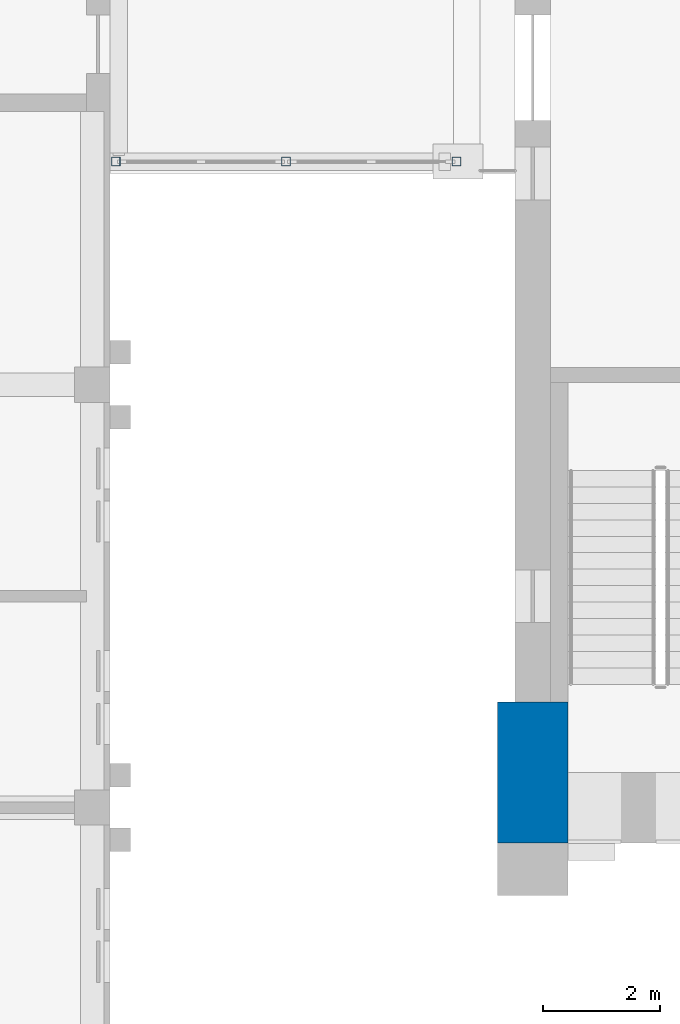
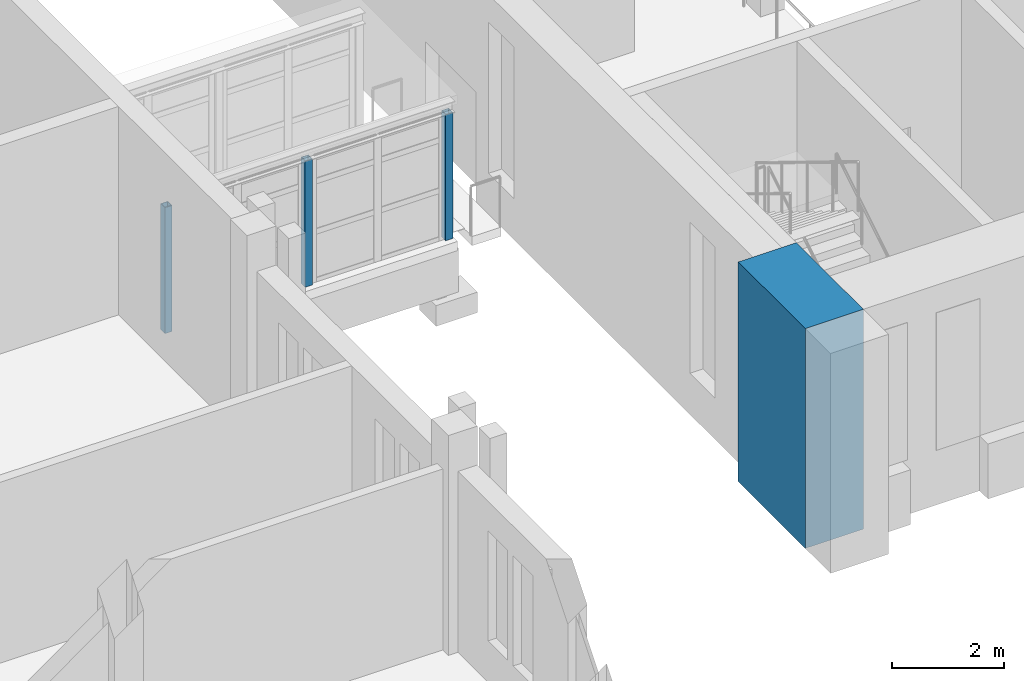
# One storey, part 5 of 131: 4 columns.
"""IFC4 building model written with IfcOpenShell, lengths in metres."""

from ifc_helpers import new_model, si_unit, direction, frame, origin, origin_2d, place, context, subcontext, project, spatial, rectangle, hollow_rectangle, extrude, material, material_profile, profile_set, type_object, element, save


model = new_model("IFC4")

# Units and contexts
model_context = context("Model", 3, precision=1e-05, world=origin(), true_north=direction((0.0, 1.0)))
body_context = subcontext(model_context, "Body", "Model", "MODEL_VIEW")
ifc_project = project(units=[si_unit("LENGTHUNIT", "METRE"), si_unit("AREAUNIT", "SQUARE_METRE"), si_unit("VOLUMEUNIT", "CUBIC_METRE"), si_unit("PLANEANGLEUNIT", "RADIAN"), si_unit("MASSUNIT", "GRAM", prefix="KILO")], contexts=[model_context])

# Site, building, storey
site_placement = place(None, origin())
site = spatial("IfcSite", under=ifc_project, at=site_placement, CompositionType="ELEMENT")
building_placement = place(site_placement, origin())
building = spatial("IfcBuilding", under=site, at=building_placement, Name="Alderwick Market Hall", CompositionType="ELEMENT")
storey_placement = place(building_placement, frame((0.0, 0.0, 4.800048828125)))
storey = spatial("IfcBuildingStorey", under=building, at=storey_placement, Name="L00", CompositionType="ELEMENT", Elevation=4.800048828125)

# Columns
ifc_material_1 = material(Name="Steel ASTM A500 Grade C", Category="steel")
ifc_material_profile_1 = material_profile(ifc_material_1, hollow_rectangle(XDim=0.152099609375, YDim=0.152099609375, WallThickness=0.009521484375, at=origin_2d()), Name="HSS152x152x9.5")
ifc_profile_set_1 = profile_set([ifc_material_profile_1], Name="Steel ASTM A500 Grade C")
column_type_1 = type_object("IfcColumnType", Name="P HSS Column 152x152x9.5", PredefinedType="COLUMN", material=ifc_profile_set_1)
for number, where, z_axis, x_axis, name in (
    (1, (43.300048828125, 61.39990234375, 0.0), (0.0, 0.0, 1.0), (1.0, 0.0, 0.0), "P.P6.col.a0"),
    (2, (46.199951171875, 61.39990234375, 0.0), (0.0, 0.0, 1.0), (1.0, 0.0, 0.0), "P.P6.col.a1"),
    (3, (49.10009765625, 61.39990234375, 0.0), (0.0, 0.0, 1.0), (1.0, 0.0, 0.0), "P.P6.col.a2"),
):
    element("IfcColumn", number, at=place(storey_placement, frame(where, z_axis=z_axis, x_axis=x_axis)), inside=storey, type_object=column_type_1, Name=name, PredefinedType="COLUMN", context=body_context, shape_type="SweptSolid", body=[
        extrude(hollow_rectangle(XDim=0.152099609375, YDim=0.152099609375, WallThickness=0.009521484375, at=origin_2d()), origin(), (0.0, 0.0, 1.0), 2.7529296875),
    ])
ifc_material_2 = material(Name="Concrete 5000 psi (f'c 35 MPa)", Category="concrete")
ifc_material_profile_2 = material_profile(ifc_material_2, rectangle(XDim=1.199951171875, YDim=2.39990234375, at=origin_2d()), Name="RC 1200x2400")
ifc_profile_set_2 = profile_set([ifc_material_profile_2], Name="Concrete 5000 psi (f'c 35 MPa)")
column_type_2 = type_object("IfcColumnType", Name="R Buttress Pier 1200x2400", PredefinedType="COLUMN", material=ifc_profile_set_2)
column_placement = place(storey_placement, frame((50.39990234375, 51.0, 0.0), z_axis=(0.0, 0.0, 1.0), x_axis=(1.0, 0.0, 0.0)))
element("IfcColumn", 4, at=column_placement, inside=storey, type_object=column_type_2, Name="Buttress pier S1 L00", PredefinedType="COLUMN", context=body_context, shape_type="SweptSolid", body=[
    extrude(rectangle(XDim=1.199951171875, YDim=2.39990234375, at=origin_2d()), origin(), (0.0, 0.0, 1.0), 4.800048828125),
])

save(model, "model.ifc")
